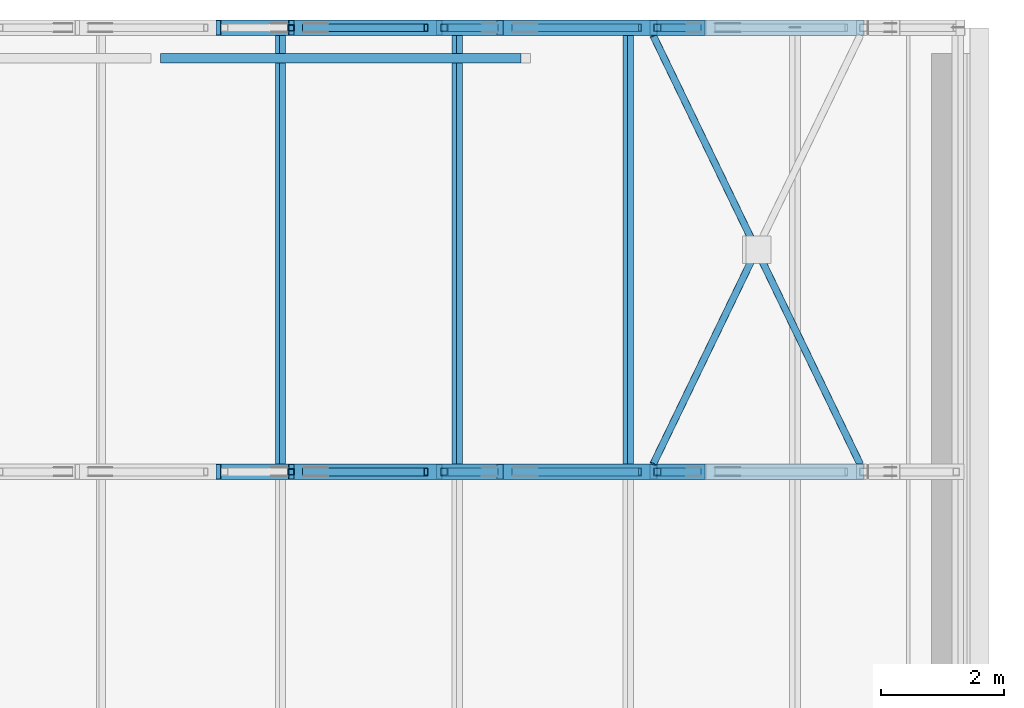
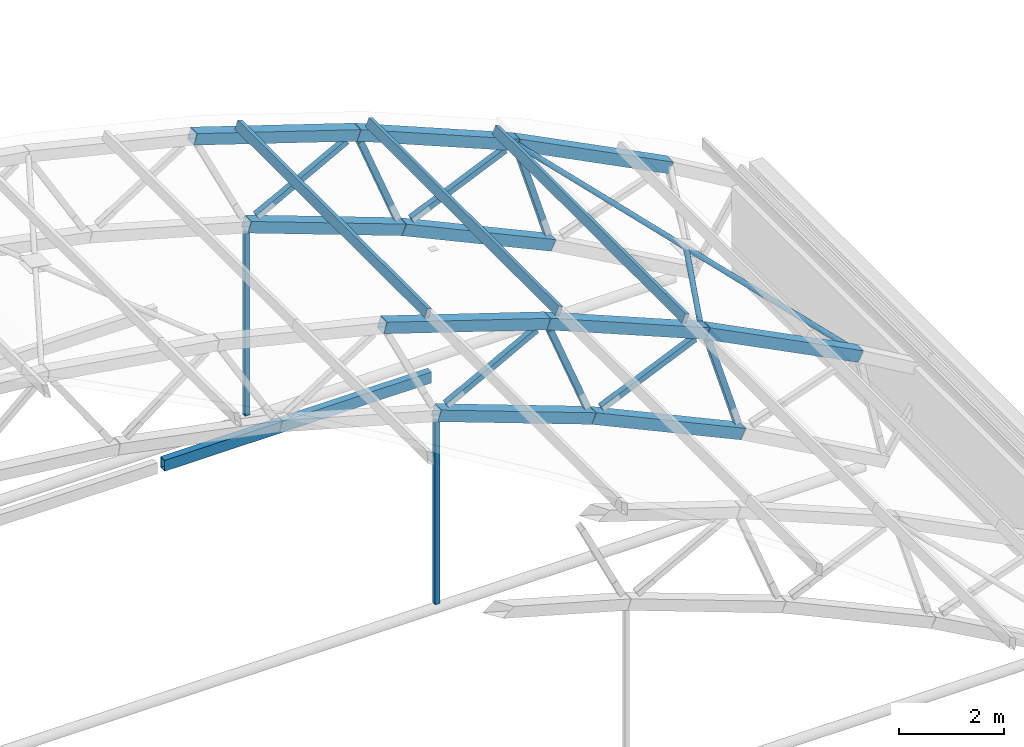
# One storey, part 32 of 127: 25 members, 1 beam.
"""IFC4 building model written with IfcOpenShell, lengths in metres."""

from ifc_helpers import new_model, si_unit, direction, frame, origin, origin_2d, place, context, subcontext, project, spatial, hollow_rectangle, hollow_circle, extrude, material, material_profile, profile_set, type_object, element, save


model = new_model("IFC4")

# Units and contexts
model_context = context("Model", 3, precision=1e-05, world=origin(), true_north=direction((0.0, 1.0)))
body_context = subcontext(model_context, "Body", "Model", "MODEL_VIEW")
ifc_project = project(units=[si_unit("LENGTHUNIT", "METRE"), si_unit("AREAUNIT", "SQUARE_METRE"), si_unit("VOLUMEUNIT", "CUBIC_METRE"), si_unit("PLANEANGLEUNIT", "RADIAN"), si_unit("MASSUNIT", "GRAM", prefix="KILO")], contexts=[model_context])

# Site, building, storey
site_placement = place(None, origin())
site = spatial("IfcSite", under=ifc_project, at=site_placement, CompositionType="ELEMENT")
building_placement = place(site_placement, origin())
building = spatial("IfcBuilding", under=site, at=building_placement, Name="Verrick Yard Athletic Hall", CompositionType="ELEMENT")
storey_placement = place(building_placement, frame((0.0, 0.0, 14.0)))
storey = spatial("IfcBuildingStorey", under=building, at=storey_placement, Name="L03", CompositionType="ELEMENT", Elevation=14.0)

# Members
ifc_material = material(Name="Structural steel HSS Class C 350W (CSA G40.20/G40.21)", Category="steel")
ifc_material_profile_1 = material_profile(ifc_material, hollow_rectangle(XDim=0.25390625, YDim=0.25390625, WallThickness=0.009521484375, at=origin_2d()), Name="HSS254x254x9.5")
ifc_profile_set_1 = profile_set([ifc_material_profile_1], Name="Structural steel HSS Class C 350W (CSA G40.20/G40.21)")
member_type_1 = type_object("IfcMemberType", Name="HB bottom chord HSS254x254x9.5", PredefinedType="CHORD", material=ifc_profile_set_1)
member_1_placement = place(storey_placement, frame((66.197265625, 100.800048828125, 4.51123046875), z_axis=(0.938394107905, 0.0, -0.345566922966), x_axis=(0.0, 1.0, 0.0)))
element("IfcMember", 1, at=member_1_placement, inside=storey, type_object=member_type_1, Name="Truss TB5 bottom chord 12", PredefinedType="CHORD", context=body_context, shape_type="SweptSolid", body=[
    extrude(hollow_rectangle(XDim=0.25390625, YDim=0.25390625, WallThickness=0.009521484375, at=origin_2d()), origin(), (0.0, 0.0, 1.0), 3.595947265625),
])
member_2_placement = place(storey_placement, frame((69.580810546875, 100.800048828125, 3.2646484375), z_axis=(0.908445597889, 0.0, -0.418003104865), x_axis=(0.0, 1.0, 0.0)))
element("IfcMember", 2, at=member_2_placement, inside=storey, type_object=member_type_1, Name="Truss TB5 bottom chord 13", PredefinedType="CHORD", context=body_context, shape_type="SweptSolid", body=[
    extrude(hollow_rectangle(XDim=0.25390625, YDim=0.25390625, WallThickness=0.009521484375, at=origin_2d()), origin(), (0.0, 0.0, 1.0), 3.59619140625),
])
member_3_placement = place(storey_placement, frame((66.197265625, 108.0, 4.51123046875), z_axis=(0.938394107905, 0.0, -0.345566922966), x_axis=(0.0, 1.0, 0.0)))
element("IfcMember", 3, at=member_3_placement, inside=storey, type_object=member_type_1, Name="Truss TB6 bottom chord 12", PredefinedType="CHORD", context=body_context, shape_type="SweptSolid", body=[
    extrude(hollow_rectangle(XDim=0.25390625, YDim=0.25390625, WallThickness=0.009521484375, at=origin_2d()), origin(), (0.0, 0.0, 1.0), 3.595947265625),
])
member_4_placement = place(storey_placement, frame((69.580810546875, 108.0, 3.2646484375), z_axis=(0.908445597889, 0.0, -0.418003104865), x_axis=(0.0, 1.0, 0.0)))
element("IfcMember", 4, at=member_4_placement, inside=storey, type_object=member_type_1, Name="Truss TB6 bottom chord 13", PredefinedType="CHORD", context=body_context, shape_type="SweptSolid", body=[
    extrude(hollow_rectangle(XDim=0.25390625, YDim=0.25390625, WallThickness=0.009521484375, at=origin_2d()), origin(), (0.0, 0.0, 1.0), 3.59619140625),
])
ifc_material_profile_2 = material_profile(ifc_material, hollow_rectangle(XDim=0.1015625, YDim=0.203125, WallThickness=0.009521484375, at=origin_2d()), Name="HSS203x102x9.5")
ifc_profile_set_2 = profile_set([ifc_material_profile_2], Name="Structural steel HSS Class C 350W (CSA G40.20/G40.21)")
member_type_2 = type_object("IfcMemberType", Name="HB purlin HSS203x102x9.5", PredefinedType="PURLIN", material=ifc_profile_set_2)
for number, where, z_axis, x_axis, name in (
    (5, (66.0205078125, 100.800048828125, 6.872802734375), (0.0, 1.0, 0.0), (-0.951213620533, 0.0, 0.308533058379), "HB-PU-B-5-14"),
    (6, (68.885009765625, 100.800048828125, 5.92431640625), (0.0, 1.0, 0.0), (-0.924122791552, 0.0, 0.382095624331), "HB-PU-B-5-15"),
    (7, (71.6572265625, 100.800048828125, 4.778076171875), (0.0, 1.0, 0.0), (-0.924122791552, 0.0, 0.382095624331), "HB-PU-B-5-16"),
):
    element("IfcMember", number, at=place(storey_placement, frame(where, z_axis=z_axis, x_axis=x_axis)), inside=storey, type_object=member_type_2, Name=name, PredefinedType="PURLIN", context=body_context, shape_type="SweptSolid", body=[
        extrude(hollow_rectangle(XDim=0.1015625, YDim=0.203125, WallThickness=0.009521484375, at=origin_2d()), origin(), (0.0, 0.0, 1.0), 7.199951171875),
    ])
ifc_material_profile_3 = material_profile(ifc_material, hollow_circle(Radius=0.05712890625, WallThickness=0.00634765625, at=origin_2d()), Name="HSS114x6.4")
ifc_profile_set_3 = profile_set([ifc_material_profile_3], Name="Structural steel HSS Class C 350W (CSA G40.20/G40.21)")
member_type_3 = type_object("IfcMemberType", Name="HB roof brace HSS114x6.4", PredefinedType="BRACE", material=ifc_profile_set_3)
member_5_placement = place(storey_placement, frame((72.065185546875, 100.927001953125, 4.362060546875), z_axis=(0.424555063526, 0.879276717205, -0.215929276887), x_axis=(-0.90052090018, 0.434812727895, 0.0)))
element("IfcMember", 8, at=member_5_placement, inside=storey, type_object=member_type_3, Name="HB-BR-B-5-12b1", PredefinedType="BRACE", context=body_context, shape_type="SweptSolid", body=[
    extrude(hollow_circle(Radius=0.05712890625, WallThickness=0.00634765625, at=origin_2d()), origin(), (0.0, 0.0, 1.0), 3.84423828125),
])
member_6_placement = place(storey_placement, frame((75.419189453125, 100.927001953125, 2.65625), z_axis=(-0.424568777061, 0.879269637222, 0.215931143203), x_axis=(-0.900514029788, -0.434826956565, 0.0)))
element("IfcMember", 9, at=member_6_placement, inside=storey, type_object=member_type_3, Name="HB-BR-B-5-12a", PredefinedType="BRACE", context=body_context, shape_type="SweptSolid", body=[
    extrude(hollow_circle(Radius=0.05712890625, WallThickness=0.00634765625, at=origin_2d()), origin(), (0.0, 0.0, 1.0), 7.89990234375),
])
ifc_material_profile_4 = material_profile(ifc_material, hollow_rectangle(XDim=0.25390625, YDim=0.25390625, WallThickness=0.009521484375, at=origin_2d()), Name="HSS254x254x9.5")
ifc_profile_set_4 = profile_set([ifc_material_profile_4], Name="Structural steel HSS Class C 350W (CSA G40.20/G40.21)")
member_type_4 = type_object("IfcMemberType", Name="HB top chord HSS254x254x9.5", PredefinedType="CHORD", material=ifc_profile_set_4)
for number, where, z_axis, x_axis, name in (
    (10, (65.013427734375, 100.800048828125, 6.959228515625), (0.951202693453, 0.0, -0.308566744754), (0.0, 1.0, 0.0), "Truss TB5 top chord 12"),
    (11, (68.592529296875, 100.800048828125, 5.7978515625), (0.924130129149, 0.0, -0.382077877402), (0.0, 1.0, 0.0), "Truss TB5 top chord 13"),
):
    element("IfcMember", number, at=place(storey_placement, frame(where, z_axis=z_axis, x_axis=x_axis)), inside=storey, type_object=member_type_4, Name=name, PredefinedType="CHORD", context=body_context, shape_type="SweptSolid", body=[
        extrude(hollow_rectangle(XDim=0.25390625, YDim=0.25390625, WallThickness=0.009521484375, at=origin_2d()), origin(), (0.0, 0.0, 1.0), 3.752685546875),
    ])
member_7_placement = place(storey_placement, frame((72.069580078125, 100.800048828125, 4.35986328125), z_axis=(0.891336584454, 0.0, -0.453342137037), x_axis=(0.0, 1.0, 0.0)))
element("IfcMember", 12, at=member_7_placement, inside=storey, type_object=member_type_4, Name="Truss TB5 top chord 14", PredefinedType="CHORD", context=body_context, shape_type="SweptSolid", body=[
    extrude(hollow_rectangle(XDim=0.25390625, YDim=0.25390625, WallThickness=0.009521484375, at=origin_2d()), origin(), (0.0, 0.0, 1.0), 3.754150390625),
])
for number, where, z_axis, x_axis, name in (
    (13, (65.013427734375, 108.0, 6.959228515625), (0.951202693453, 0.0, -0.308566744754), (0.0, 1.0, 0.0), "Truss TB6 top chord 12"),
    (14, (68.592529296875, 108.0, 5.7978515625), (0.924130129149, 0.0, -0.382077877402), (0.0, 1.0, 0.0), "Truss TB6 top chord 13"),
):
    element("IfcMember", number, at=place(storey_placement, frame(where, z_axis=z_axis, x_axis=x_axis)), inside=storey, type_object=member_type_4, Name=name, PredefinedType="CHORD", context=body_context, shape_type="SweptSolid", body=[
        extrude(hollow_rectangle(XDim=0.25390625, YDim=0.25390625, WallThickness=0.009521484375, at=origin_2d()), origin(), (0.0, 0.0, 1.0), 3.752685546875),
    ])
member_8_placement = place(storey_placement, frame((72.069580078125, 108.0, 4.35986328125), z_axis=(0.891336584454, 0.0, -0.453342137037), x_axis=(0.0, 1.0, 0.0)))
element("IfcMember", 15, at=member_8_placement, inside=storey, type_object=member_type_4, Name="Truss TB6 top chord 14", PredefinedType="CHORD", context=body_context, shape_type="SweptSolid", body=[
    extrude(hollow_rectangle(XDim=0.25390625, YDim=0.25390625, WallThickness=0.009521484375, at=origin_2d()), origin(), (0.0, 0.0, 1.0), 3.754150390625),
])
ifc_material_profile_5 = material_profile(ifc_material, hollow_rectangle(XDim=0.1015625, YDim=0.1015625, WallThickness=0.00634765625, at=origin_2d()), Name="HSS102x102x6.4")
ifc_profile_set_5 = profile_set([ifc_material_profile_5], Name="Structural steel HSS Class C 350W (CSA G40.20/G40.21)")
member_type_5 = type_object("IfcMemberType", Name="HB truss hanger HSS102x102x6.4", PredefinedType="MEMBER", material=ifc_profile_set_5)
for number, where, z_axis, x_axis, name in (
    (16, (66.192626953125, 100.800048828125, 4.35888671875), (0.0, 0.0, -1.0), (0.0, -1.0, 0.0), "Truss TB5 hanger 3"),
    (17, (66.192626953125, 108.0, 4.35888671875), (0.0, 0.0, -1.0), (0.0, -1.0, 0.0), "Truss TB6 hanger 3"),
):
    element("IfcMember", number, at=place(storey_placement, frame(where, z_axis=z_axis, x_axis=x_axis)), inside=storey, type_object=member_type_5, Name=name, PredefinedType="MEMBER", context=body_context, shape_type="SweptSolid", body=[
        extrude(hollow_rectangle(XDim=0.1015625, YDim=0.1015625, WallThickness=0.00634765625, at=origin_2d()), origin(), (0.0, 0.0, 1.0), 4.249267578125),
    ])
ifc_material_profile_6 = material_profile(ifc_material, hollow_rectangle(XDim=0.126953125, YDim=0.126953125, WallThickness=0.009521484375, at=origin_2d()), Name="HSS127x127x9.5")
ifc_profile_set_6 = profile_set([ifc_material_profile_6], Name="Structural steel HSS Class C 350W (CSA G40.20/G40.21)")
member_type_6 = type_object("IfcMemberType", Name="HB truss web HSS127x127x9.5", PredefinedType="BRACE", material=ifc_profile_set_6)
for number, where, z_axis, x_axis, name in (
    (18, (66.41162109375, 100.800048828125, 4.630615234375), (0.880902446091, 0.0, 0.473297877103), (0.0, 1.0, 0.0), "Truss TB5 web 23"),
    (19, (68.673828125, 100.800048828125, 5.579345703125), (0.363632709383, 0.0, -0.93154240519), (0.0, 1.0, 0.0), "Truss TB5 web 24"),
    (20, (69.803955078125, 100.800048828125, 3.366943359375), (0.915297302882, 0.0, 0.402778906272), (0.0, 1.0, 0.0), "Truss TB5 web 25"),
    (21, (72.1337890625, 100.800048828125, 4.135498046875), (0.289443070658, 0.0, -0.957195230268), (0.0, 1.0, 0.0), "Truss TB5 web 26"),
    (22, (66.41162109375, 108.0, 4.630615234375), (0.880902446091, 0.0, 0.473297877103), (0.0, 1.0, 0.0), "Truss TB6 web 23"),
    (23, (68.673828125, 108.0, 5.579345703125), (0.363632709383, 0.0, -0.93154240519), (0.0, 1.0, 0.0), "Truss TB6 web 24"),
    (24, (69.803955078125, 108.0, 3.366943359375), (0.915297302882, 0.0, 0.402778906272), (0.0, 1.0, 0.0), "Truss TB6 web 25"),
    (25, (72.1337890625, 108.0, 4.135498046875), (0.289443070658, 0.0, -0.957195230268), (0.0, 1.0, 0.0), "Truss TB6 web 26"),
):
    element("IfcMember", number, at=place(storey_placement, frame(where, z_axis=z_axis, x_axis=x_axis)), inside=storey, type_object=member_type_6, Name=name, PredefinedType="BRACE", context=body_context, shape_type="SweptSolid", body=[
        extrude(hollow_rectangle(XDim=0.126953125, YDim=0.126953125, WallThickness=0.009521484375, at=origin_2d()), origin(), (0.0, 0.0, 1.0), 2.233642578125),
    ])

# Beam
ifc_material_profile_7 = material_profile(ifc_material, hollow_rectangle(XDim=0.15234375, YDim=0.25390625, WallThickness=0.009521484375, at=origin_2d()), Name="HSS254x152x9.5")
ifc_profile_set_7 = profile_set([ifc_material_profile_7], Name="Structural steel HSS Class C 350W (CSA G40.20/G40.21)")
beam_type = type_object("IfcBeamType", Name="HB wind girder HSS254x152x9.5", PredefinedType="BEAM", material=ifc_profile_set_7)
beam_placement = place(storey_placement, frame((64.076171875, 107.50537109375, 0.0), z_axis=(1.0, 0.0, 0.0), x_axis=(0.0, 1.0, 0.0)))
element("IfcBeam", 26, at=beam_placement, inside=storey, type_object=beam_type, Name="HB-WG-BN-140-6", PredefinedType="BEAM", context=body_context, shape_type="SweptSolid", body=[
    extrude(hollow_rectangle(XDim=0.15234375, YDim=0.25390625, WallThickness=0.009521484375, at=origin_2d()), origin(), (0.0, 0.0, 1.0), 5.84765625),
])

save(model, "model.ifc")
